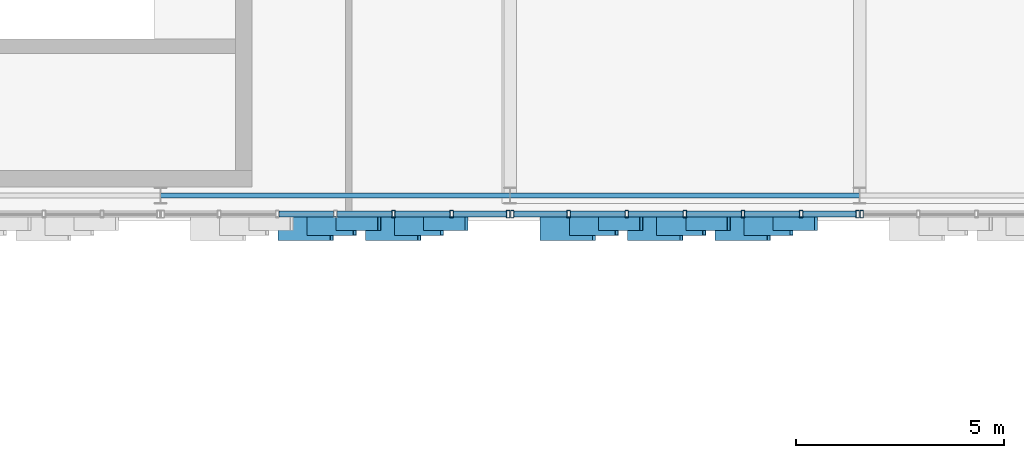
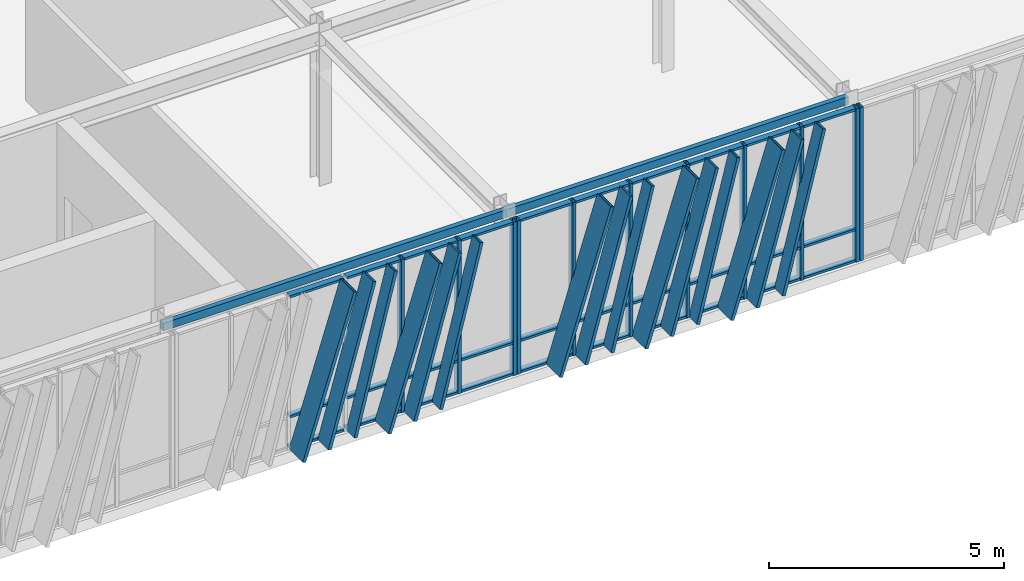
# One storey, part 20 of 123: 56 members, 2 beams, 3 elements without a shape of their own.
"""IFC4 building model written with IfcOpenShell, lengths in metres."""

from ifc_helpers import new_model, si_unit, direction, frame, origin, origin_2d, place, context, subcontext, project, spatial, hollow_rectangle, extrude, material, layer, layer_set, material_profile, profile_set, type_object, element, aggregate, save


model = new_model("IFC4")

# Units and contexts
model_context = context("Model", 3, precision=1e-05, world=origin(), true_north=direction((0.0, 1.0)))
body_context = subcontext(model_context, "Body", "Model", "MODEL_VIEW")
ifc_project = project(units=[si_unit("LENGTHUNIT", "METRE"), si_unit("AREAUNIT", "SQUARE_METRE"), si_unit("VOLUMEUNIT", "CUBIC_METRE"), si_unit("PLANEANGLEUNIT", "RADIAN"), si_unit("MASSUNIT", "GRAM", prefix="KILO")], contexts=[model_context])

# Site, building, storey
site_placement = place(None, origin())
site = spatial("IfcSite", under=ifc_project, at=site_placement, CompositionType="ELEMENT")
building_placement = place(site_placement, origin())
building = spatial("IfcBuilding", under=site, at=building_placement, Name="Zayran Congress Hotel", CompositionType="ELEMENT")
storey_placement = place(building_placement, frame((0.0, 0.0, 15.0)))
storey = spatial("IfcBuildingStorey", under=building, at=storey_placement, Name="L03", CompositionType="ELEMENT", Elevation=15.0)

# Beams
ifc_material_1 = material(Name="Steel S355", Category="steel")
ifc_material_profile_1 = material_profile(ifc_material_1, hollow_rectangle(XDim=0.1201171875, YDim=0.199951171875, WallThickness=0.008056640625, at=origin_2d()), Name="RHS 200x120x8")
ifc_profile_set_1 = profile_set([ifc_material_profile_1], Name="Steel S355")
beam_type = type_object("IfcBeamType", Name="TP-SP-02", PredefinedType="SPANDREL", material=ifc_profile_set_1)
beam_1_placement = place(storey_placement, frame((16.800048828125, 68.199951171875, 3.8798828125), z_axis=(1.0, 0.0, 0.0), x_axis=(0.0, 1.0, 0.0)))
element("IfcBeam", 1, at=beam_1_placement, inside=storey, type_object=beam_type, Name="BM-V1-L03-0792", PredefinedType="SPANDREL", context=body_context, shape_type="SweptSolid", body=[
    extrude(hollow_rectangle(XDim=0.1201171875, YDim=0.199951171875, WallThickness=0.008056640625, at=origin_2d()), origin(), (0.0, 0.0, 1.0), 8.39990234375),
])
beam_2_placement = place(storey_placement, frame((25.199951171875, 68.199951171875, 3.8798828125), z_axis=(1.0, 0.0, 0.0), x_axis=(0.0, 1.0, 0.0)))
element("IfcBeam", 2, at=beam_2_placement, inside=storey, type_object=beam_type, Name="BM-V1-L03-0793", PredefinedType="SPANDREL", context=body_context, shape_type="SweptSolid", body=[
    extrude(hollow_rectangle(XDim=0.1201171875, YDim=0.199951171875, WallThickness=0.008056640625, at=origin_2d()), origin(), (0.0, 0.0, 1.0), 8.400146484375),
])

# Curtain wall, members
ifc_material_2 = material(Name="Anodised aluminium and low-E insulated glass", Category="aluminium")
ifc_layer_1 = layer(ifc_material_2, 0.179931640625)
ifc_layer_set_1 = layer_set([ifc_layer_1], Name="Anodised aluminium and low-E insulated glass")
curtain_wall_type_1 = type_object("IfcCurtainWallType", Name="CW-V1S-L03-CW-12-8380-3980", PredefinedType="USERDEFINED", material=ifc_layer_set_1)
curtain_wall_1_placement = place(storey_placement, origin())
curtain_wall_1 = element("IfcCurtainWall", 3, at=curtain_wall_1_placement, inside=storey, type_object=curtain_wall_type_1, Name="CW-V1S-L03-1", ObjectType="CURTAIN WALL", PredefinedType="USERDEFINED")
ifc_material_3 = material(Name="Anodised aluminium framing", Category="aluminium")
ifc_material_profile_2 = material_profile(ifc_material_3, hollow_rectangle(XDim=0.080078125, YDim=0.179931640625, WallThickness=0.0048828125, at=origin_2d()), Name="RHS 180x80x5")
ifc_profile_set_2 = profile_set([ifc_material_profile_2], Name="Anodised aluminium framing")
member_type_1 = type_object("IfcMemberType", Name="TP-CWM-01", PredefinedType="MULLION", material=ifc_profile_set_2)
member_1_placement = place(storey_placement, frame((22.396728515625, 67.75, 0.0), z_axis=(0.0, 0.0, 1.0), x_axis=(1.0, 0.0, 0.0)))
member_1 = element("IfcMember", 4, at=member_1_placement, type_object=member_type_1, Name="CW-V1S-L03-1-M04", PredefinedType="MULLION", context=body_context, shape_type="SweptSolid", body=[
    extrude(hollow_rectangle(XDim=0.080078125, YDim=0.179931640625, WallThickness=0.0048828125, at=origin_2d()), origin(), (0.0, 0.0, 1.0), 3.97998046875),
])
member_2_placement = place(storey_placement, frame((23.793212890625, 67.75, 0.0), z_axis=(0.0, 0.0, 1.0), x_axis=(1.0, 0.0, 0.0)))
member_2 = element("IfcMember", 5, at=member_2_placement, type_object=member_type_1, Name="CW-V1S-L03-1-M05", PredefinedType="MULLION", context=body_context, shape_type="SweptSolid", body=[
    extrude(hollow_rectangle(XDim=0.080078125, YDim=0.179931640625, WallThickness=0.0048828125, at=origin_2d()), origin(), (0.0, 0.0, 1.0), 3.97998046875),
])
member_3_placement = place(storey_placement, frame((25.14990234375, 67.75, 0.0), z_axis=(0.0, 0.0, 1.0), x_axis=(1.0, 0.0, 0.0)))
member_3 = element("IfcMember", 6, at=member_3_placement, type_object=member_type_1, Name="CW-V1S-L03-1-M06", PredefinedType="MULLION", context=body_context, shape_type="SweptSolid", body=[
    extrude(hollow_rectangle(XDim=0.080078125, YDim=0.179931640625, WallThickness=0.0048828125, at=origin_2d()), origin(), (0.0, 0.0, 1.0), 3.97998046875),
])

ifc_layer_2 = layer(ifc_material_2, 0.179931640625)
ifc_layer_set_2 = layer_set([ifc_layer_2], Name="Anodised aluminium and low-E insulated glass")
curtain_wall_type_2 = type_object("IfcCurtainWallType", Name="CW-V1S-L03-CW-13-8380-3980", PredefinedType="USERDEFINED", material=ifc_layer_set_2)
curtain_wall_2_placement = place(storey_placement, origin())
curtain_wall_2 = element("IfcCurtainWall", 7, at=curtain_wall_2_placement, inside=storey, type_object=curtain_wall_type_2, Name="CW-V1S-L03-2", ObjectType="CURTAIN WALL", PredefinedType="USERDEFINED")
member_4_placement = place(storey_placement, frame((25.25, 67.75, 0.0), z_axis=(0.0, 0.0, 1.0), x_axis=(1.0, 0.0, 0.0)))
member_4 = element("IfcMember", 8, at=member_4_placement, type_object=member_type_1, Name="CW-V1S-L03-2-M00", PredefinedType="MULLION", context=body_context, shape_type="SweptSolid", body=[
    extrude(hollow_rectangle(XDim=0.080078125, YDim=0.179931640625, WallThickness=0.0048828125, at=origin_2d()), origin(), (0.0, 0.0, 1.0), 3.97998046875),
])
member_5_placement = place(storey_placement, frame((26.606689453125, 67.75, 0.0), z_axis=(0.0, 0.0, 1.0), x_axis=(1.0, 0.0, 0.0)))
member_5 = element("IfcMember", 9, at=member_5_placement, type_object=member_type_1, Name="CW-V1S-L03-2-M01", PredefinedType="MULLION", context=body_context, shape_type="SweptSolid", body=[
    extrude(hollow_rectangle(XDim=0.080078125, YDim=0.179931640625, WallThickness=0.0048828125, at=origin_2d()), origin(), (0.0, 0.0, 1.0), 3.97998046875),
])
member_6_placement = place(storey_placement, frame((28.00341796875, 67.75, 0.0), z_axis=(0.0, 0.0, 1.0), x_axis=(1.0, 0.0, 0.0)))
member_6 = element("IfcMember", 10, at=member_6_placement, type_object=member_type_1, Name="CW-V1S-L03-2-M02", PredefinedType="MULLION", context=body_context, shape_type="SweptSolid", body=[
    extrude(hollow_rectangle(XDim=0.080078125, YDim=0.179931640625, WallThickness=0.0048828125, at=origin_2d()), origin(), (0.0, 0.0, 1.0), 3.97998046875),
])
member_7_placement = place(storey_placement, frame((29.39990234375, 67.75, 0.0), z_axis=(0.0, 0.0, 1.0), x_axis=(1.0, 0.0, 0.0)))
member_7 = element("IfcMember", 11, at=member_7_placement, type_object=member_type_1, Name="CW-V1S-L03-2-M03", PredefinedType="MULLION", context=body_context, shape_type="SweptSolid", body=[
    extrude(hollow_rectangle(XDim=0.080078125, YDim=0.179931640625, WallThickness=0.0048828125, at=origin_2d()), origin(), (0.0, 0.0, 1.0), 3.97998046875),
])
member_8_placement = place(storey_placement, frame((30.796630859375, 67.75, 0.0), z_axis=(0.0, 0.0, 1.0), x_axis=(1.0, 0.0, 0.0)))
member_8 = element("IfcMember", 12, at=member_8_placement, type_object=member_type_1, Name="CW-V1S-L03-2-M04", PredefinedType="MULLION", context=body_context, shape_type="SweptSolid", body=[
    extrude(hollow_rectangle(XDim=0.080078125, YDim=0.179931640625, WallThickness=0.0048828125, at=origin_2d()), origin(), (0.0, 0.0, 1.0), 3.97998046875),
])
member_9_placement = place(storey_placement, frame((32.193359375, 67.75, 0.0), z_axis=(0.0, 0.0, 1.0), x_axis=(1.0, 0.0, 0.0)))
member_9 = element("IfcMember", 13, at=member_9_placement, type_object=member_type_1, Name="CW-V1S-L03-2-M05", PredefinedType="MULLION", context=body_context, shape_type="SweptSolid", body=[
    extrude(hollow_rectangle(XDim=0.080078125, YDim=0.179931640625, WallThickness=0.0048828125, at=origin_2d()), origin(), (0.0, 0.0, 1.0), 3.97998046875),
])
member_10_placement = place(storey_placement, frame((33.550048828125, 67.75, 0.0), z_axis=(0.0, 0.0, 1.0), x_axis=(1.0, 0.0, 0.0)))
member_10 = element("IfcMember", 14, at=member_10_placement, type_object=member_type_1, Name="CW-V1S-L03-2-M06", PredefinedType="MULLION", context=body_context, shape_type="SweptSolid", body=[
    extrude(hollow_rectangle(XDim=0.080078125, YDim=0.179931640625, WallThickness=0.0048828125, at=origin_2d()), origin(), (0.0, 0.0, 1.0), 3.97998046875),
])

# Curtain wall, member
ifc_layer_3 = layer(ifc_material_2, 0.179931640625)
ifc_layer_set_3 = layer_set([ifc_layer_3], Name="Anodised aluminium and low-E insulated glass")
curtain_wall_type_3 = type_object("IfcCurtainWallType", Name="CW-V1S-L03-CW-11-8380-3980", PredefinedType="USERDEFINED", material=ifc_layer_set_3)
curtain_wall_3_placement = place(storey_placement, origin())
curtain_wall_3 = element("IfcCurtainWall", 15, at=curtain_wall_3_placement, inside=storey, type_object=curtain_wall_type_3, Name="CW-V1S-L03-3", ObjectType="CURTAIN WALL", PredefinedType="USERDEFINED")
member_11_placement = place(storey_placement, frame((33.64990234375, 67.75, 0.0), z_axis=(0.0, 0.0, 1.0), x_axis=(1.0, 0.0, 0.0)))
member_11 = element("IfcMember", 16, at=member_11_placement, type_object=member_type_1, Name="CW-V1S-L03-3-M00", PredefinedType="MULLION", context=body_context, shape_type="SweptSolid", body=[
    extrude(hollow_rectangle(XDim=0.080078125, YDim=0.179931640625, WallThickness=0.0048828125, at=origin_2d()), origin(), (0.0, 0.0, 1.0), 3.97998046875),
])
aggregate(curtain_wall_3, [member_11])

# Member
ifc_material_profile_3 = material_profile(ifc_material_3, hollow_rectangle(XDim=0.06005859375, YDim=0.14990234375, WallThickness=0.00390625, at=origin_2d()), Name="RHS 150x60x4")
ifc_profile_set_3 = profile_set([ifc_material_profile_3], Name="Anodised aluminium framing")
member_type_2 = type_object("IfcMemberType", Name="TP-CWT-01", PredefinedType="USERDEFINED", material=ifc_profile_set_3)
member_12_placement = place(storey_placement, frame((19.643310546875, 67.75, 0.030029296875), z_axis=(1.0, 0.0, 0.0), x_axis=(0.0, 0.0, 1.0)))
member_12 = element("IfcMember", 17, at=member_12_placement, type_object=member_type_2, Name="CW-V1S-L03-1-T02-0", ObjectType="TRANSOM", PredefinedType="USERDEFINED", context=body_context, shape_type="SweptSolid", body=[
    extrude(hollow_rectangle(XDim=0.06005859375, YDim=0.14990234375, WallThickness=0.00390625, at=origin_2d()), origin(), (0.0, 0.0, 1.0), 1.316650390625),
])

member_13_placement = place(storey_placement, frame((19.643310546875, 67.75, 0.840087890625), z_axis=(1.0, 0.0, 0.0), x_axis=(0.0, 0.0, 1.0)))
member_13 = element("IfcMember", 18, at=member_13_placement, type_object=member_type_2, Name="CW-V1S-L03-1-T02-1", ObjectType="TRANSOM", PredefinedType="USERDEFINED", context=body_context, shape_type="SweptSolid", body=[
    extrude(hollow_rectangle(XDim=0.06005859375, YDim=0.14990234375, WallThickness=0.00390625, at=origin_2d()), origin(), (0.0, 0.0, 1.0), 1.316650390625),
])

member_14_placement = place(storey_placement, frame((19.643310546875, 67.75, 3.949951171875), z_axis=(1.0, 0.0, 0.0), x_axis=(0.0, 0.0, 1.0)))
member_14 = element("IfcMember", 19, at=member_14_placement, type_object=member_type_2, Name="CW-V1S-L03-1-T02-2", ObjectType="TRANSOM", PredefinedType="USERDEFINED", context=body_context, shape_type="SweptSolid", body=[
    extrude(hollow_rectangle(XDim=0.06005859375, YDim=0.14990234375, WallThickness=0.00390625, at=origin_2d()), origin(), (0.0, 0.0, 1.0), 1.316650390625),
])

member_15_placement = place(storey_placement, frame((21.0400390625, 67.75, 0.030029296875), z_axis=(1.0, 0.0, 0.0), x_axis=(0.0, 0.0, 1.0)))
member_15 = element("IfcMember", 20, at=member_15_placement, type_object=member_type_2, Name="CW-V1S-L03-1-T03-0", ObjectType="TRANSOM", PredefinedType="USERDEFINED", context=body_context, shape_type="SweptSolid", body=[
    extrude(hollow_rectangle(XDim=0.06005859375, YDim=0.14990234375, WallThickness=0.00390625, at=origin_2d()), origin(), (0.0, 0.0, 1.0), 1.316650390625),
])

member_16_placement = place(storey_placement, frame((21.0400390625, 67.75, 0.840087890625), z_axis=(1.0, 0.0, 0.0), x_axis=(0.0, 0.0, 1.0)))
member_16 = element("IfcMember", 21, at=member_16_placement, type_object=member_type_2, Name="CW-V1S-L03-1-T03-1", ObjectType="TRANSOM", PredefinedType="USERDEFINED", context=body_context, shape_type="SweptSolid", body=[
    extrude(hollow_rectangle(XDim=0.06005859375, YDim=0.14990234375, WallThickness=0.00390625, at=origin_2d()), origin(), (0.0, 0.0, 1.0), 1.316650390625),
])

member_17_placement = place(storey_placement, frame((21.0400390625, 67.75, 3.949951171875), z_axis=(1.0, 0.0, 0.0), x_axis=(0.0, 0.0, 1.0)))
member_17 = element("IfcMember", 22, at=member_17_placement, type_object=member_type_2, Name="CW-V1S-L03-1-T03-2", ObjectType="TRANSOM", PredefinedType="USERDEFINED", context=body_context, shape_type="SweptSolid", body=[
    extrude(hollow_rectangle(XDim=0.06005859375, YDim=0.14990234375, WallThickness=0.00390625, at=origin_2d()), origin(), (0.0, 0.0, 1.0), 1.316650390625),
])

member_18_placement = place(storey_placement, frame((22.436767578125, 67.75, 0.030029296875), z_axis=(1.0, 0.0, 0.0), x_axis=(0.0, 0.0, 1.0)))
member_18 = element("IfcMember", 23, at=member_18_placement, type_object=member_type_2, Name="CW-V1S-L03-1-T04-0", ObjectType="TRANSOM", PredefinedType="USERDEFINED", context=body_context, shape_type="SweptSolid", body=[
    extrude(hollow_rectangle(XDim=0.06005859375, YDim=0.14990234375, WallThickness=0.00390625, at=origin_2d()), origin(), (0.0, 0.0, 1.0), 1.316650390625),
])

member_19_placement = place(storey_placement, frame((22.436767578125, 67.75, 0.840087890625), z_axis=(1.0, 0.0, 0.0), x_axis=(0.0, 0.0, 1.0)))
member_19 = element("IfcMember", 24, at=member_19_placement, type_object=member_type_2, Name="CW-V1S-L03-1-T04-1", ObjectType="TRANSOM", PredefinedType="USERDEFINED", context=body_context, shape_type="SweptSolid", body=[
    extrude(hollow_rectangle(XDim=0.06005859375, YDim=0.14990234375, WallThickness=0.00390625, at=origin_2d()), origin(), (0.0, 0.0, 1.0), 1.316650390625),
])

member_20_placement = place(storey_placement, frame((22.436767578125, 67.75, 3.949951171875), z_axis=(1.0, 0.0, 0.0), x_axis=(0.0, 0.0, 1.0)))
member_20 = element("IfcMember", 25, at=member_20_placement, type_object=member_type_2, Name="CW-V1S-L03-1-T04-2", ObjectType="TRANSOM", PredefinedType="USERDEFINED", context=body_context, shape_type="SweptSolid", body=[
    extrude(hollow_rectangle(XDim=0.06005859375, YDim=0.14990234375, WallThickness=0.00390625, at=origin_2d()), origin(), (0.0, 0.0, 1.0), 1.316650390625),
])

member_21_placement = place(storey_placement, frame((23.833251953125, 67.75, 0.030029296875), z_axis=(1.0, 0.0, 0.0), x_axis=(0.0, 0.0, 1.0)))
member_21 = element("IfcMember", 26, at=member_21_placement, type_object=member_type_2, Name="CW-V1S-L03-1-T05-0", ObjectType="TRANSOM", PredefinedType="USERDEFINED", context=body_context, shape_type="SweptSolid", body=[
    extrude(hollow_rectangle(XDim=0.06005859375, YDim=0.14990234375, WallThickness=0.00390625, at=origin_2d()), origin(), (0.0, 0.0, 1.0), 1.27685546875),
])

member_22_placement = place(storey_placement, frame((23.833251953125, 67.75, 0.840087890625), z_axis=(1.0, 0.0, 0.0), x_axis=(0.0, 0.0, 1.0)))
member_22 = element("IfcMember", 27, at=member_22_placement, type_object=member_type_2, Name="CW-V1S-L03-1-T05-1", ObjectType="TRANSOM", PredefinedType="USERDEFINED", context=body_context, shape_type="SweptSolid", body=[
    extrude(hollow_rectangle(XDim=0.06005859375, YDim=0.14990234375, WallThickness=0.00390625, at=origin_2d()), origin(), (0.0, 0.0, 1.0), 1.27685546875),
])

member_23_placement = place(storey_placement, frame((23.833251953125, 67.75, 3.949951171875), z_axis=(1.0, 0.0, 0.0), x_axis=(0.0, 0.0, 1.0)))
member_23 = element("IfcMember", 28, at=member_23_placement, type_object=member_type_2, Name="CW-V1S-L03-1-T05-2", ObjectType="TRANSOM", PredefinedType="USERDEFINED", context=body_context, shape_type="SweptSolid", body=[
    extrude(hollow_rectangle(XDim=0.06005859375, YDim=0.14990234375, WallThickness=0.00390625, at=origin_2d()), origin(), (0.0, 0.0, 1.0), 1.27685546875),
])

member_24_placement = place(storey_placement, frame((25.2900390625, 67.75, 0.030029296875), z_axis=(1.0, 0.0, 0.0), x_axis=(0.0, 0.0, 1.0)))
member_24 = element("IfcMember", 29, at=member_24_placement, type_object=member_type_2, Name="CW-V1S-L03-2-T00-0", ObjectType="TRANSOM", PredefinedType="USERDEFINED", context=body_context, shape_type="SweptSolid", body=[
    extrude(hollow_rectangle(XDim=0.06005859375, YDim=0.14990234375, WallThickness=0.00390625, at=origin_2d()), origin(), (0.0, 0.0, 1.0), 1.276611328125),
])

member_25_placement = place(storey_placement, frame((25.2900390625, 67.75, 0.840087890625), z_axis=(1.0, 0.0, 0.0), x_axis=(0.0, 0.0, 1.0)))
member_25 = element("IfcMember", 30, at=member_25_placement, type_object=member_type_2, Name="CW-V1S-L03-2-T00-1", ObjectType="TRANSOM", PredefinedType="USERDEFINED", context=body_context, shape_type="SweptSolid", body=[
    extrude(hollow_rectangle(XDim=0.06005859375, YDim=0.14990234375, WallThickness=0.00390625, at=origin_2d()), origin(), (0.0, 0.0, 1.0), 1.276611328125),
])

member_26_placement = place(storey_placement, frame((25.2900390625, 67.75, 3.949951171875), z_axis=(1.0, 0.0, 0.0), x_axis=(0.0, 0.0, 1.0)))
member_26 = element("IfcMember", 31, at=member_26_placement, type_object=member_type_2, Name="CW-V1S-L03-2-T00-2", ObjectType="TRANSOM", PredefinedType="USERDEFINED", context=body_context, shape_type="SweptSolid", body=[
    extrude(hollow_rectangle(XDim=0.06005859375, YDim=0.14990234375, WallThickness=0.00390625, at=origin_2d()), origin(), (0.0, 0.0, 1.0), 1.276611328125),
])

member_27_placement = place(storey_placement, frame((26.646728515625, 67.75, 0.030029296875), z_axis=(1.0, 0.0, 0.0), x_axis=(0.0, 0.0, 1.0)))
member_27 = element("IfcMember", 32, at=member_27_placement, type_object=member_type_2, Name="CW-V1S-L03-2-T01-0", ObjectType="TRANSOM", PredefinedType="USERDEFINED", context=body_context, shape_type="SweptSolid", body=[
    extrude(hollow_rectangle(XDim=0.06005859375, YDim=0.14990234375, WallThickness=0.00390625, at=origin_2d()), origin(), (0.0, 0.0, 1.0), 1.316650390625),
])

member_28_placement = place(storey_placement, frame((26.646728515625, 67.75, 0.840087890625), z_axis=(1.0, 0.0, 0.0), x_axis=(0.0, 0.0, 1.0)))
member_28 = element("IfcMember", 33, at=member_28_placement, type_object=member_type_2, Name="CW-V1S-L03-2-T01-1", ObjectType="TRANSOM", PredefinedType="USERDEFINED", context=body_context, shape_type="SweptSolid", body=[
    extrude(hollow_rectangle(XDim=0.06005859375, YDim=0.14990234375, WallThickness=0.00390625, at=origin_2d()), origin(), (0.0, 0.0, 1.0), 1.316650390625),
])

member_29_placement = place(storey_placement, frame((26.646728515625, 67.75, 3.949951171875), z_axis=(1.0, 0.0, 0.0), x_axis=(0.0, 0.0, 1.0)))
member_29 = element("IfcMember", 34, at=member_29_placement, type_object=member_type_2, Name="CW-V1S-L03-2-T01-2", ObjectType="TRANSOM", PredefinedType="USERDEFINED", context=body_context, shape_type="SweptSolid", body=[
    extrude(hollow_rectangle(XDim=0.06005859375, YDim=0.14990234375, WallThickness=0.00390625, at=origin_2d()), origin(), (0.0, 0.0, 1.0), 1.316650390625),
])

member_30_placement = place(storey_placement, frame((28.043212890625, 67.75, 0.030029296875), z_axis=(1.0, 0.0, 0.0), x_axis=(0.0, 0.0, 1.0)))
member_30 = element("IfcMember", 35, at=member_30_placement, type_object=member_type_2, Name="CW-V1S-L03-2-T02-0", ObjectType="TRANSOM", PredefinedType="USERDEFINED", context=body_context, shape_type="SweptSolid", body=[
    extrude(hollow_rectangle(XDim=0.06005859375, YDim=0.14990234375, WallThickness=0.00390625, at=origin_2d()), origin(), (0.0, 0.0, 1.0), 1.31689453125),
])

member_31_placement = place(storey_placement, frame((28.043212890625, 67.75, 0.840087890625), z_axis=(1.0, 0.0, 0.0), x_axis=(0.0, 0.0, 1.0)))
member_31 = element("IfcMember", 36, at=member_31_placement, type_object=member_type_2, Name="CW-V1S-L03-2-T02-1", ObjectType="TRANSOM", PredefinedType="USERDEFINED", context=body_context, shape_type="SweptSolid", body=[
    extrude(hollow_rectangle(XDim=0.06005859375, YDim=0.14990234375, WallThickness=0.00390625, at=origin_2d()), origin(), (0.0, 0.0, 1.0), 1.31689453125),
])

member_32_placement = place(storey_placement, frame((28.043212890625, 67.75, 3.949951171875), z_axis=(1.0, 0.0, 0.0), x_axis=(0.0, 0.0, 1.0)))
member_32 = element("IfcMember", 37, at=member_32_placement, type_object=member_type_2, Name="CW-V1S-L03-2-T02-2", ObjectType="TRANSOM", PredefinedType="USERDEFINED", context=body_context, shape_type="SweptSolid", body=[
    extrude(hollow_rectangle(XDim=0.06005859375, YDim=0.14990234375, WallThickness=0.00390625, at=origin_2d()), origin(), (0.0, 0.0, 1.0), 1.31689453125),
])

member_33_placement = place(storey_placement, frame((29.43994140625, 67.75, 0.030029296875), z_axis=(1.0, 0.0, 0.0), x_axis=(0.0, 0.0, 1.0)))
member_33 = element("IfcMember", 38, at=member_33_placement, type_object=member_type_2, Name="CW-V1S-L03-2-T03-0", ObjectType="TRANSOM", PredefinedType="USERDEFINED", context=body_context, shape_type="SweptSolid", body=[
    extrude(hollow_rectangle(XDim=0.06005859375, YDim=0.14990234375, WallThickness=0.00390625, at=origin_2d()), origin(), (0.0, 0.0, 1.0), 1.316650390625),
])

member_34_placement = place(storey_placement, frame((29.43994140625, 67.75, 0.840087890625), z_axis=(1.0, 0.0, 0.0), x_axis=(0.0, 0.0, 1.0)))
member_34 = element("IfcMember", 39, at=member_34_placement, type_object=member_type_2, Name="CW-V1S-L03-2-T03-1", ObjectType="TRANSOM", PredefinedType="USERDEFINED", context=body_context, shape_type="SweptSolid", body=[
    extrude(hollow_rectangle(XDim=0.06005859375, YDim=0.14990234375, WallThickness=0.00390625, at=origin_2d()), origin(), (0.0, 0.0, 1.0), 1.316650390625),
])

member_35_placement = place(storey_placement, frame((29.43994140625, 67.75, 3.949951171875), z_axis=(1.0, 0.0, 0.0), x_axis=(0.0, 0.0, 1.0)))
member_35 = element("IfcMember", 40, at=member_35_placement, type_object=member_type_2, Name="CW-V1S-L03-2-T03-2", ObjectType="TRANSOM", PredefinedType="USERDEFINED", context=body_context, shape_type="SweptSolid", body=[
    extrude(hollow_rectangle(XDim=0.06005859375, YDim=0.14990234375, WallThickness=0.00390625, at=origin_2d()), origin(), (0.0, 0.0, 1.0), 1.316650390625),
])

member_36_placement = place(storey_placement, frame((30.836669921875, 67.75, 0.030029296875), z_axis=(1.0, 0.0, 0.0), x_axis=(0.0, 0.0, 1.0)))
member_36 = element("IfcMember", 41, at=member_36_placement, type_object=member_type_2, Name="CW-V1S-L03-2-T04-0", ObjectType="TRANSOM", PredefinedType="USERDEFINED", context=body_context, shape_type="SweptSolid", body=[
    extrude(hollow_rectangle(XDim=0.06005859375, YDim=0.14990234375, WallThickness=0.00390625, at=origin_2d()), origin(), (0.0, 0.0, 1.0), 1.316650390625),
])

member_37_placement = place(storey_placement, frame((30.836669921875, 67.75, 0.840087890625), z_axis=(1.0, 0.0, 0.0), x_axis=(0.0, 0.0, 1.0)))
member_37 = element("IfcMember", 42, at=member_37_placement, type_object=member_type_2, Name="CW-V1S-L03-2-T04-1", ObjectType="TRANSOM", PredefinedType="USERDEFINED", context=body_context, shape_type="SweptSolid", body=[
    extrude(hollow_rectangle(XDim=0.06005859375, YDim=0.14990234375, WallThickness=0.00390625, at=origin_2d()), origin(), (0.0, 0.0, 1.0), 1.316650390625),
])

member_38_placement = place(storey_placement, frame((30.836669921875, 67.75, 3.949951171875), z_axis=(1.0, 0.0, 0.0), x_axis=(0.0, 0.0, 1.0)))
member_38 = element("IfcMember", 43, at=member_38_placement, type_object=member_type_2, Name="CW-V1S-L03-2-T04-2", ObjectType="TRANSOM", PredefinedType="USERDEFINED", context=body_context, shape_type="SweptSolid", body=[
    extrude(hollow_rectangle(XDim=0.06005859375, YDim=0.14990234375, WallThickness=0.00390625, at=origin_2d()), origin(), (0.0, 0.0, 1.0), 1.316650390625),
])

member_39_placement = place(storey_placement, frame((32.2333984375, 67.75, 0.030029296875), z_axis=(1.0, 0.0, 0.0), x_axis=(0.0, 0.0, 1.0)))
member_39 = element("IfcMember", 44, at=member_39_placement, type_object=member_type_2, Name="CW-V1S-L03-2-T05-0", ObjectType="TRANSOM", PredefinedType="USERDEFINED", context=body_context, shape_type="SweptSolid", body=[
    extrude(hollow_rectangle(XDim=0.06005859375, YDim=0.14990234375, WallThickness=0.00390625, at=origin_2d()), origin(), (0.0, 0.0, 1.0), 1.276611328125),
])

member_40_placement = place(storey_placement, frame((32.2333984375, 67.75, 0.840087890625), z_axis=(1.0, 0.0, 0.0), x_axis=(0.0, 0.0, 1.0)))
member_40 = element("IfcMember", 45, at=member_40_placement, type_object=member_type_2, Name="CW-V1S-L03-2-T05-1", ObjectType="TRANSOM", PredefinedType="USERDEFINED", context=body_context, shape_type="SweptSolid", body=[
    extrude(hollow_rectangle(XDim=0.06005859375, YDim=0.14990234375, WallThickness=0.00390625, at=origin_2d()), origin(), (0.0, 0.0, 1.0), 1.276611328125),
])

member_41_placement = place(storey_placement, frame((32.2333984375, 67.75, 3.949951171875), z_axis=(1.0, 0.0, 0.0), x_axis=(0.0, 0.0, 1.0)))
member_41 = element("IfcMember", 46, at=member_41_placement, type_object=member_type_2, Name="CW-V1S-L03-2-T05-2", ObjectType="TRANSOM", PredefinedType="USERDEFINED", context=body_context, shape_type="SweptSolid", body=[
    extrude(hollow_rectangle(XDim=0.06005859375, YDim=0.14990234375, WallThickness=0.00390625, at=origin_2d()), origin(), (0.0, 0.0, 1.0), 1.276611328125),
])

ifc_material_4 = material(Name="Warm bronze anodised aluminium", Category="aluminium")
ifc_material_profile_4 = material_profile(ifc_material_4, hollow_rectangle(XDim=0.080078125, YDim=0.580078125, WallThickness=0.006103515625, at=origin_2d()), Name="RHS 580x80x6")
ifc_profile_set_4 = profile_set([ifc_material_profile_4], Name="Warm bronze anodised aluminium")
member_type_3 = type_object("IfcMemberType", Name="TP-RFN-01", PredefinedType="MULLION", material=ifc_profile_set_4)
member_42_placement = place(storey_placement, frame((19.659912109375, 67.39990234375, 0.0), z_axis=(0.300705753938, 0.0, 0.953716965115), x_axis=(-0.953716965115, 0.0, 0.300705753938)))
member_42 = element("IfcMember", 47, at=member_42_placement, type_object=member_type_3, Name="Slanting Reed Mullion CW-12-04", PredefinedType="MULLION", context=body_context, shape_type="SweptSolid", body=[
    extrude(hollow_rectangle(XDim=0.080078125, YDim=0.580078125, WallThickness=0.006103515625, at=origin_2d()), origin(), (0.0, 0.0, 1.0), 4.173095703125),
])

member_43_placement = place(storey_placement, frame((21.760009765625, 67.39990234375, 0.0), z_axis=(0.300705753938, 0.0, 0.953716965115), x_axis=(-0.953716965115, 0.0, 0.300705753938)))
member_43 = element("IfcMember", 48, at=member_43_placement, type_object=member_type_3, Name="Slanting Reed Mullion CW-12-07", PredefinedType="MULLION", context=body_context, shape_type="SweptSolid", body=[
    extrude(hollow_rectangle(XDim=0.080078125, YDim=0.580078125, WallThickness=0.006103515625, at=origin_2d()), origin(), (0.0, 0.0, 1.0), 4.173095703125),
])

member_44_placement = place(storey_placement, frame((25.9599609375, 67.39990234375, 0.0), z_axis=(0.300705753938, 0.0, 0.953716965115), x_axis=(-0.953716965115, 0.0, 0.300705753938)))
member_44 = element("IfcMember", 49, at=member_44_placement, type_object=member_type_3, Name="Slanting Reed Mullion CW-13-01", PredefinedType="MULLION", context=body_context, shape_type="SweptSolid", body=[
    extrude(hollow_rectangle(XDim=0.080078125, YDim=0.580078125, WallThickness=0.006103515625, at=origin_2d()), origin(), (0.0, 0.0, 1.0), 4.173095703125),
])

member_45_placement = place(storey_placement, frame((28.06005859375, 67.39990234375, 0.0), z_axis=(0.300705753938, 0.0, 0.953716965115), x_axis=(-0.953716965115, 0.0, 0.300705753938)))
member_45 = element("IfcMember", 50, at=member_45_placement, type_object=member_type_3, Name="Slanting Reed Mullion CW-13-04", PredefinedType="MULLION", context=body_context, shape_type="SweptSolid", body=[
    extrude(hollow_rectangle(XDim=0.080078125, YDim=0.580078125, WallThickness=0.006103515625, at=origin_2d()), origin(), (0.0, 0.0, 1.0), 4.173095703125),
])

member_46_placement = place(storey_placement, frame((30.159912109375, 67.39990234375, 0.0), z_axis=(0.300705753938, 0.0, 0.953716965115), x_axis=(-0.953716965115, 0.0, 0.300705753938)))
member_46 = element("IfcMember", 51, at=member_46_placement, type_object=member_type_3, Name="Slanting Reed Mullion CW-13-07", PredefinedType="MULLION", context=body_context, shape_type="SweptSolid", body=[
    extrude(hollow_rectangle(XDim=0.080078125, YDim=0.580078125, WallThickness=0.006103515625, at=origin_2d()), origin(), (0.0, 0.0, 1.0), 4.173095703125),
])

ifc_material_profile_5 = material_profile(ifc_material_4, hollow_rectangle(XDim=0.080078125, YDim=0.449951171875, WallThickness=0.006103515625, at=origin_2d()), Name="RHS 450x80x6")
ifc_profile_set_5 = profile_set([ifc_material_profile_5], Name="Warm bronze anodised aluminium")
member_type_4 = type_object("IfcMemberType", Name="TP-RFN-02", PredefinedType="MULLION", material=ifc_profile_set_5)
member_47_placement = place(storey_placement, frame((20.360107421875, 67.465087890625, 0.0), z_axis=(0.267241410526, 0.0, 0.963629611677), x_axis=(-0.963629611677, 0.0, 0.267241410526)))
member_47 = element("IfcMember", 52, at=member_47_placement, type_object=member_type_4, Name="Slanting Reed Mullion CW-12-05", PredefinedType="MULLION", context=body_context, shape_type="SweptSolid", body=[
    extrude(hollow_rectangle(XDim=0.080078125, YDim=0.449951171875, WallThickness=0.006103515625, at=origin_2d()), origin(), (0.0, 0.0, 1.0), 4.130126953125),
])

member_48_placement = place(storey_placement, frame((22.4599609375, 67.465087890625, 0.0), z_axis=(0.267241410526, 0.0, 0.963629611677), x_axis=(-0.963629611677, 0.0, 0.267241410526)))
member_48 = element("IfcMember", 53, at=member_48_placement, type_object=member_type_4, Name="Slanting Reed Mullion CW-12-08", PredefinedType="MULLION", context=body_context, shape_type="SweptSolid", body=[
    extrude(hollow_rectangle(XDim=0.080078125, YDim=0.449951171875, WallThickness=0.006103515625, at=origin_2d()), origin(), (0.0, 0.0, 1.0), 4.130126953125),
])

member_49_placement = place(storey_placement, frame((26.659912109375, 67.465087890625, 0.0), z_axis=(0.267296298756, 0.0, 0.963614387954), x_axis=(-0.963614387954, 0.0, 0.267296298756)))
member_49 = element("IfcMember", 54, at=member_49_placement, type_object=member_type_4, Name="Slanting Reed Mullion CW-13-02", PredefinedType="MULLION", context=body_context, shape_type="SweptSolid", body=[
    extrude(hollow_rectangle(XDim=0.080078125, YDim=0.449951171875, WallThickness=0.006103515625, at=origin_2d()), origin(), (0.0, 0.0, 1.0), 4.13037109375),
])

member_50_placement = place(storey_placement, frame((28.760009765625, 67.465087890625, 0.0), z_axis=(0.267241410526, 0.0, 0.963629611677), x_axis=(-0.963629611677, 0.0, 0.267241410526)))
member_50 = element("IfcMember", 55, at=member_50_placement, type_object=member_type_4, Name="Slanting Reed Mullion CW-13-05", PredefinedType="MULLION", context=body_context, shape_type="SweptSolid", body=[
    extrude(hollow_rectangle(XDim=0.080078125, YDim=0.449951171875, WallThickness=0.006103515625, at=origin_2d()), origin(), (0.0, 0.0, 1.0), 4.130126953125),
])

member_51_placement = place(storey_placement, frame((30.860107421875, 67.465087890625, 0.0), z_axis=(0.267241410526, 0.0, 0.963629611677), x_axis=(-0.963629611677, 0.0, 0.267241410526)))
member_51 = element("IfcMember", 56, at=member_51_placement, type_object=member_type_4, Name="Slanting Reed Mullion CW-13-08", PredefinedType="MULLION", context=body_context, shape_type="SweptSolid", body=[
    extrude(hollow_rectangle(XDim=0.080078125, YDim=0.449951171875, WallThickness=0.006103515625, at=origin_2d()), origin(), (0.0, 0.0, 1.0), 4.130126953125),
])

ifc_material_profile_6 = material_profile(ifc_material_4, hollow_rectangle(XDim=0.080078125, YDim=0.340087890625, WallThickness=0.006103515625, at=origin_2d()), Name="RHS 340x80x6")
ifc_profile_set_6 = profile_set([ifc_material_profile_6], Name="Warm bronze anodised aluminium")
member_type_5 = type_object("IfcMemberType", Name="TP-RFN-03", PredefinedType="MULLION", material=ifc_profile_set_6)
member_52_placement = place(storey_placement, frame((21.06005859375, 67.52001953125, 0.0), z_axis=(0.24189134958, 0.0, 0.970303341743), x_axis=(-0.970303341743, 0.0, 0.24189134958)))
member_52 = element("IfcMember", 57, at=member_52_placement, type_object=member_type_5, Name="Slanting Reed Mullion CW-12-06", PredefinedType="MULLION", context=body_context, shape_type="SweptSolid", body=[
    extrude(hollow_rectangle(XDim=0.080078125, YDim=0.340087890625, WallThickness=0.006103515625, at=origin_2d()), origin(), (0.0, 0.0, 1.0), 4.101806640625),
])

member_53_placement = place(storey_placement, frame((23.159912109375, 67.52001953125, 0.0), z_axis=(0.241947386249, 0.0, 0.970289370388), x_axis=(-0.970289370388, 0.0, 0.241947386249)))
member_53 = element("IfcMember", 58, at=member_53_placement, type_object=member_type_5, Name="Slanting Reed Mullion CW-12-09", PredefinedType="MULLION", context=body_context, shape_type="SweptSolid", body=[
    extrude(hollow_rectangle(XDim=0.080078125, YDim=0.340087890625, WallThickness=0.006103515625, at=origin_2d()), origin(), (0.0, 0.0, 1.0), 4.101806640625),
])

aggregate(curtain_wall_1, [member_1, member_2, member_3, member_12, member_13, member_14, member_15, member_16, member_17, member_18, member_19, member_20, member_21, member_22, member_23, member_42, member_47, member_52, member_43, member_48, member_53])

member_54_placement = place(storey_placement, frame((27.360107421875, 67.52001953125, 0.0), z_axis=(0.24189134958, 0.0, 0.970303341743), x_axis=(-0.970303341743, 0.0, 0.24189134958)))
member_54 = element("IfcMember", 59, at=member_54_placement, type_object=member_type_5, Name="Slanting Reed Mullion CW-13-03", PredefinedType="MULLION", context=body_context, shape_type="SweptSolid", body=[
    extrude(hollow_rectangle(XDim=0.080078125, YDim=0.340087890625, WallThickness=0.006103515625, at=origin_2d()), origin(), (0.0, 0.0, 1.0), 4.101806640625),
])

member_55_placement = place(storey_placement, frame((29.4599609375, 67.52001953125, 0.0), z_axis=(0.241947386249, 0.0, 0.970289370388), x_axis=(-0.970289370388, 0.0, 0.241947386249)))
member_55 = element("IfcMember", 60, at=member_55_placement, type_object=member_type_5, Name="Slanting Reed Mullion CW-13-06", PredefinedType="MULLION", context=body_context, shape_type="SweptSolid", body=[
    extrude(hollow_rectangle(XDim=0.080078125, YDim=0.340087890625, WallThickness=0.006103515625, at=origin_2d()), origin(), (0.0, 0.0, 1.0), 4.101806640625),
])

member_56_placement = place(storey_placement, frame((31.56005859375, 67.52001953125, 0.0), z_axis=(0.24189134958, 0.0, 0.970303341743), x_axis=(-0.970303341743, 0.0, 0.24189134958)))
member_56 = element("IfcMember", 61, at=member_56_placement, type_object=member_type_5, Name="Slanting Reed Mullion CW-13-09", PredefinedType="MULLION", context=body_context, shape_type="SweptSolid", body=[
    extrude(hollow_rectangle(XDim=0.080078125, YDim=0.340087890625, WallThickness=0.006103515625, at=origin_2d()), origin(), (0.0, 0.0, 1.0), 4.101806640625),
])

aggregate(curtain_wall_2, [member_4, member_5, member_6, member_7, member_8, member_9, member_10, member_24, member_25, member_26, member_27, member_28, member_29, member_30, member_31, member_32, member_33, member_34, member_35, member_36, member_37, member_38, member_39, member_40, member_41, member_44, member_49, member_54, member_45, member_50, member_55, member_46, member_51, member_56])

save(model, "model.ifc")
